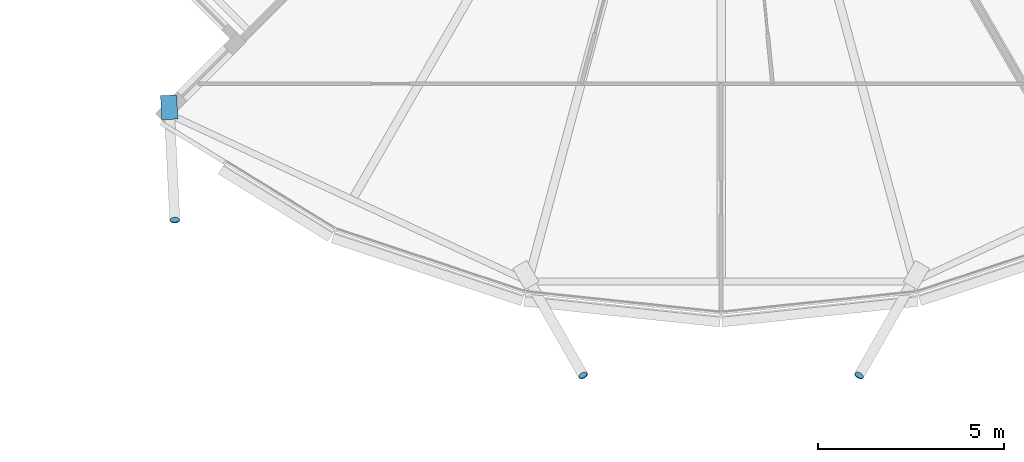
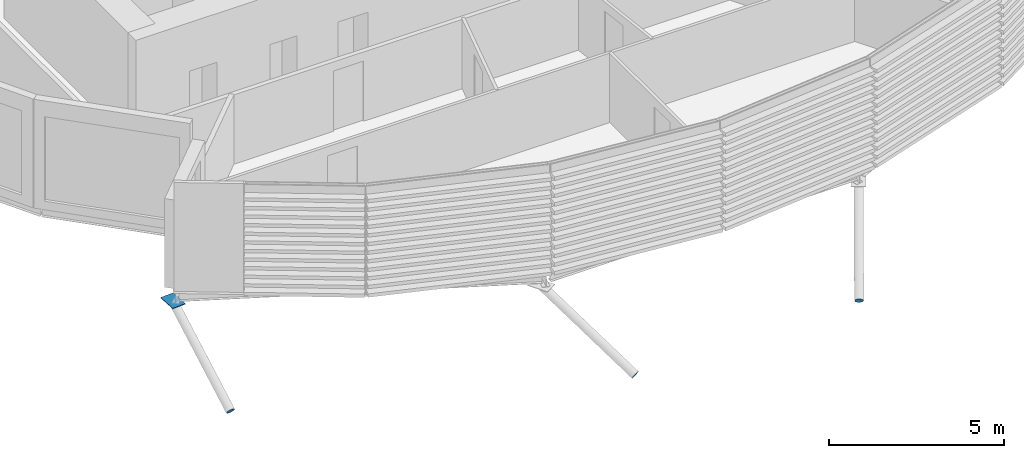
# One storey, part 27 of 38: 4 discrete accessories.
"""IFC4 building model written with IfcOpenShell, lengths in metres."""

from ifc_helpers import new_model, si_unit, direction, frame, origin, origin_2d, place, context, subcontext, project, spatial, polyline, rectangle, circle, outline, extrude, material, material_profile, profile_set, type_object, element, save


model = new_model("IFC4")

# Units and contexts
model_context = context("Model", 3, precision=1e-05, world=origin(), true_north=direction((0.0, 1.0)))
body_context = subcontext(model_context, "Body", "Model", "MODEL_VIEW")
ifc_project = project(units=[si_unit("LENGTHUNIT", "METRE"), si_unit("AREAUNIT", "SQUARE_METRE"), si_unit("VOLUMEUNIT", "CUBIC_METRE"), si_unit("PLANEANGLEUNIT", "RADIAN"), si_unit("MASSUNIT", "GRAM", prefix="KILO")], contexts=[model_context])

# Site, building, storey
site_placement = place(None, origin())
site = spatial("IfcSite", under=ifc_project, at=site_placement, CompositionType="ELEMENT")
building_placement = place(site_placement, origin())
building = spatial("IfcBuilding", under=site, at=building_placement, Name="Rimbun Link Towers", CompositionType="ELEMENT")
storey_placement = place(building_placement, frame((0.0, 0.0, 49.0)))
storey = spatial("IfcBuildingStorey", under=building, at=storey_placement, Name="L11", CompositionType="ELEMENT", Elevation=49.0)

# Discrete accessories
ifc_material_1 = material(Name="Steel S355J2H", Category="steel")
ifc_material_profile_1 = material_profile(ifc_material_1, circle(Radius=0.1240234375, at=origin_2d()), Name="PL D248")
ifc_profile_set_1 = profile_set([ifc_material_profile_1], Name="Steel S355J2H")
discrete_accessory_type_1 = type_object("IfcDiscreteAccessoryType", Name="Link foot sealing plate D248X20", PredefinedType="BRACKET", material=ifc_profile_set_1)
for number, where, z_axis, x_axis, name in (
    (1, (-46.404541015625, -17.673095703125, -2.75732421875), (0.03651754227, -0.827730958128, -0.559935648145), (0.999028234938, 0.044074775071, 0.0), "Link foot sealing plate T1 L11 15"),
    (2, (-35.45458984375, -21.8408203125, -2.801513671875), (0.416559077473, -0.722852516792, -0.551328190774), (0.866429964967, 0.499298623879, 0.0), "Link foot sealing plate T1 L11 17"),
    (3, (-28.04541015625, -21.8408203125, -2.801513671875), (-0.416559077473, -0.722852516792, -0.551328190774), (0.866429964967, -0.499298623879, 0.0), "Link foot sealing plate T1 L11 19"),
):
    element("IfcDiscreteAccessory", number, at=place(storey_placement, frame(where, z_axis=z_axis, x_axis=x_axis)), inside=storey, type_object=discrete_accessory_type_1, Name=name, PredefinedType="BRACKET", context=body_context, shape_type="SweptSolid", body=[
        extrude(circle(Radius=0.1240234375, at=origin_2d()), origin(), (0.0, 0.0, 1.0), 0.02001953125),
    ])
ifc_material_2 = material(Name="Steel S355J2H", Category="steel")
ifc_material_profile_2 = material_profile(ifc_material_2, rectangle(XDim=0.43310546875, YDim=0.43310546875, at=origin_2d()), Name="PL 433x433")
ifc_profile_set_2 = profile_set([ifc_material_profile_2], Name="Steel S355J2H")
discrete_accessory_type_2 = type_object("IfcDiscreteAccessoryType", Name="Link head end plate 433X20", PredefinedType="BRACKET", material=ifc_profile_set_2)
discrete_accessory_placement = place(storey_placement, frame((0.0, 0.0, -0.713134765625)))
element("IfcDiscreteAccessory", 4, at=discrete_accessory_placement, inside=storey, type_object=discrete_accessory_type_2, Name="Link head end plate T1 L11 15", PredefinedType="BRACKET", context=body_context, shape_type="SweptSolid", body=[
    extrude(outline(polyline([(-46.784912109375, -14.34619140625), (-46.753173828125, -14.9921875), (-46.32080078125, -14.970947265625), (-46.3525390625, -14.324951171875), (-46.784912109375, -14.34619140625)])), origin(), (0.0, 0.0, 1.0), 0.02001953125),
])

save(model, "model.ifc")
